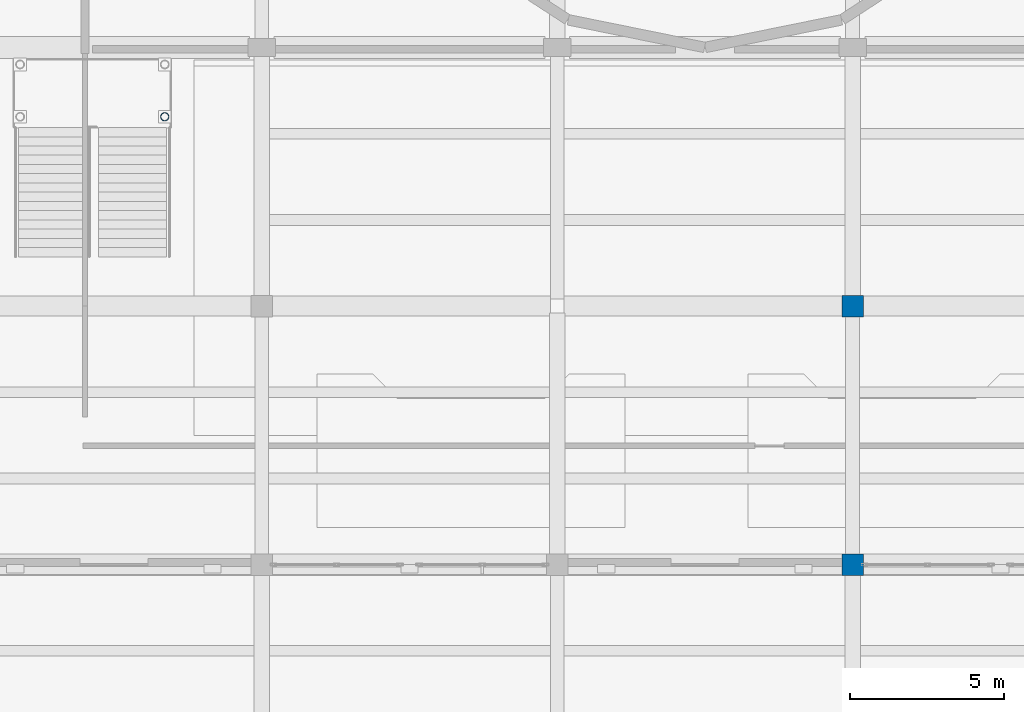
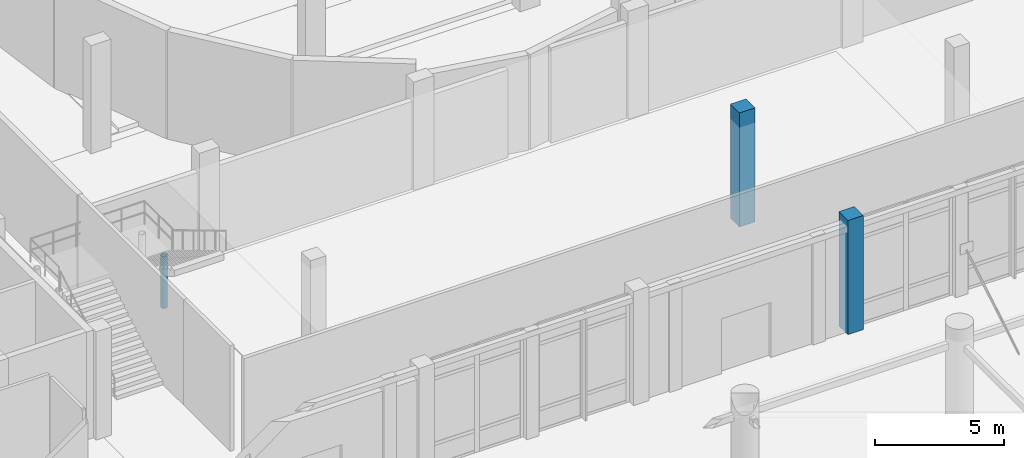
# One storey, part 7 of 71: 3 columns.
"""IFC4 building model written with IfcOpenShell, lengths in metres."""

from ifc_helpers import new_model, si_unit, direction, frame, origin, origin_2d, place, context, subcontext, project, spatial, rectangle, hollow_circle, extrude, material, material_profile, profile_set, type_object, element, save


model = new_model("IFC4")

# Units and contexts
model_context = context("Model", 3, precision=1e-05, world=origin(), true_north=direction((0.0, 1.0)))
body_context = subcontext(model_context, "Body", "Model", "MODEL_VIEW")
ifc_project = project(units=[si_unit("LENGTHUNIT", "METRE"), si_unit("AREAUNIT", "SQUARE_METRE"), si_unit("VOLUMEUNIT", "CUBIC_METRE"), si_unit("PLANEANGLEUNIT", "RADIAN"), si_unit("MASSUNIT", "GRAM", prefix="KILO")], contexts=[model_context])

# Site, building, storey
site_placement = place(None, origin())
site = spatial("IfcSite", under=ifc_project, at=site_placement, CompositionType="ELEMENT")
building_placement = place(site_placement, origin())
building = spatial("IfcBuilding", under=site, at=building_placement, Name="Lornevale Opera House", CompositionType="ELEMENT")
storey_placement = place(building_placement, origin())
storey = spatial("IfcBuildingStorey", under=building, at=storey_placement, Name="L01", CompositionType="ELEMENT", Elevation=0.0)

# Columns
ifc_material_1 = material(Name="Concrete 40 MPa (CSA A23.1 C-1)", Category="concrete")
ifc_material_profile_1 = material_profile(ifc_material_1, rectangle(XDim=0.699951171875, YDim=0.699951171875, at=origin_2d()), Name="RC700x700")
ifc_profile_set_1 = profile_set([ifc_material_profile_1], Name="Concrete 40 MPa (CSA A23.1 C-1)")
column_type_1 = type_object("IfcColumnType", Name="Concrete Column 700x700", PredefinedType="COLUMN", material=ifc_profile_set_1)
for number, where, z_axis, x_axis, name in (
    (1, (86.39990234375, 16.800048828125, 0.0), (0.0, 0.0, 1.0), (1.0, 0.0, 0.0), "Concrete Column 700x700 0553"),
    (2, (86.39990234375, 25.199951171875, 0.0), (0.0, 0.0, 1.0), (1.0, 0.0, 0.0), "Concrete Column 700x700 0558"),
):
    element("IfcColumn", number, at=place(storey_placement, frame(where, z_axis=z_axis, x_axis=x_axis)), inside=storey, type_object=column_type_1, Name=name, PredefinedType="COLUMN", context=body_context, shape_type="SweptSolid", body=[
        extrude(rectangle(XDim=0.699951171875, YDim=0.699951171875, at=origin_2d()), origin(), (0.0, 0.0, 1.0), 5.39990234375),
    ])
ifc_material_2 = material(Name="Structural Steel CSA G40.21 Grade 350W (350 MPa)", Category="steel")
ifc_material_profile_2 = material_profile(ifc_material_2, hollow_circle(Radius=0.136474609375, WallThickness=0.010986328125, at=origin_2d()), Name="HSS273x11")
ifc_profile_set_2 = profile_set([ifc_material_profile_2], Name="Structural Steel CSA G40.21 Grade 350W (350 MPa)")
column_type_2 = type_object("IfcColumnType", Name="Promenade Ramp Mast HSS273x11", PredefinedType="COLUMN", material=ifc_profile_set_2)
column_placement = place(storey_placement, frame((64.050048828125, 31.35009765625, 0.0), z_axis=(0.0, 0.0, 1.0), x_axis=(1.0, 0.0, 0.0)))
element("IfcColumn", 3, at=column_placement, inside=storey, type_object=column_type_2, Name="Grand Stair Landing Post L01 1126", PredefinedType="COLUMN", context=body_context, shape_type="SweptSolid", body=[
    extrude(hollow_circle(Radius=0.136474609375, WallThickness=0.010986328125, at=origin_2d()), origin(), (0.0, 0.0, 1.0), 2.4599609375),
])

save(model, "model.ifc")
